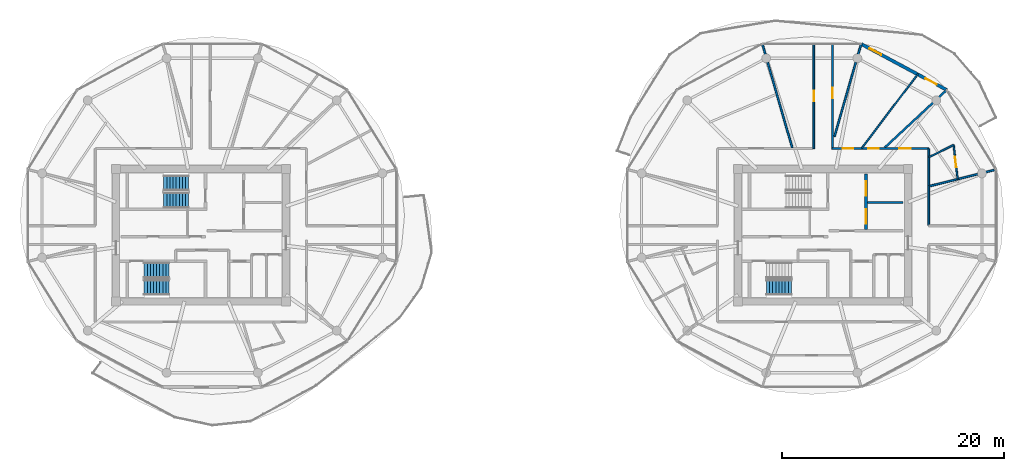
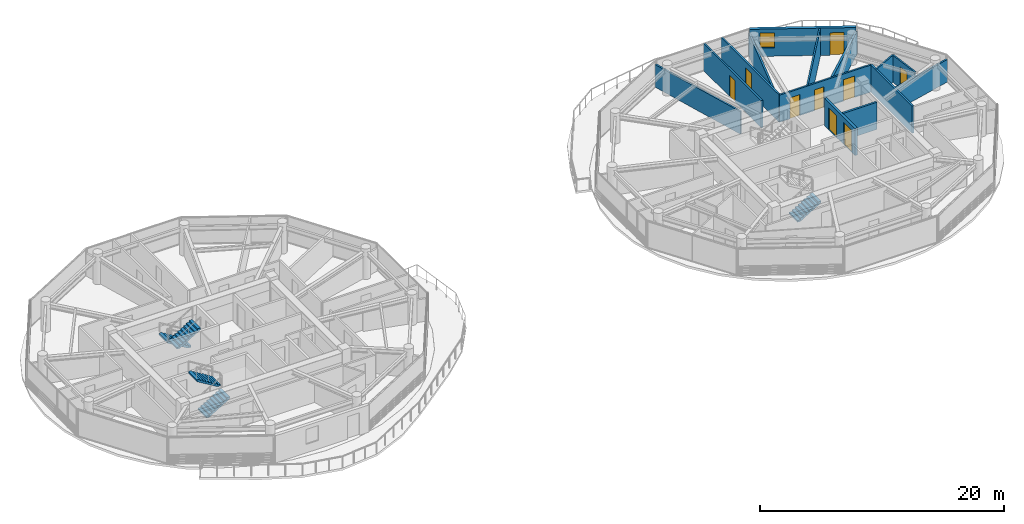
# One storey, part 16 of 22: 14 walls, 9 doors, 5 stair flights, 1 window, 10 openings, 3 elements without a shape of their own.
"""IFC4 building model written with IfcOpenShell, lengths in metres."""

from ifc_helpers import new_model, si_unit, direction, frame, frame_2d, origin, place, context, subcontext, project, spatial, polyline, rectangle, outline, extrude, source, transform, mapped, material, layer, layer_set, type_object, type_shapes, element, fill, aggregate, save


model = new_model("IFC4")

# Units and contexts
model_context = context("Model", 3, precision=1e-05, world=origin(), true_north=direction((0.0, 1.0)))
body_context = subcontext(model_context, "Body", "Model", "MODEL_VIEW")
ifc_project = project(units=[si_unit("LENGTHUNIT", "METRE"), si_unit("AREAUNIT", "SQUARE_METRE"), si_unit("VOLUMEUNIT", "CUBIC_METRE"), si_unit("PLANEANGLEUNIT", "RADIAN"), si_unit("MASSUNIT", "GRAM", prefix="KILO")], contexts=[model_context])

# Site, building, storey
site_placement = place(None, origin())
site = spatial("IfcSite", under=ifc_project, at=site_placement, CompositionType="ELEMENT")
building_placement = place(site_placement, origin())
building = spatial("IfcBuilding", under=site, at=building_placement, Name="Norrkilde Senior Care Towers", CompositionType="ELEMENT")
storey_placement = place(building_placement, frame((0.0, 0.0, 183.10009765625)))
storey = spatial("IfcBuildingStorey", under=building, at=storey_placement, Name="L57", CompositionType="ELEMENT", Elevation=183.10009765625)

# Wall, openings, door, window
ifc_material_1 = material(Name="Precast concrete C45/55", Category="concrete")
ifc_layer_1 = layer(ifc_material_1, 0.2900390625)
ifc_layer_set_1 = layer_set([ifc_layer_1], Name="Precast concrete C45/55")
wall_type_1 = type_object("IfcWallType", Name="Winter Garden Facade Wall 290", PredefinedType="SOLIDWALL", material=ifc_layer_set_1)
shared_shape_1 = source(origin(), body_context, "Body", "SweptSolid", [
    extrude(rectangle(XDim=8.74169921875, YDim=0.2900390625, at=frame_2d((4.370849609375, 0.0))), origin(), (0.0, 0.0, 1.0), 2.72998046875),
])
type_shapes(wall_type_1, [shared_shape_1])
wall_1_placement = place(storey_placement, frame((31.421630859375, 17.2109375, 0.0), z_axis=(0.0, 0.0, 1.0), x_axis=(0.880992489116, -0.473130250693, 0.0)))
wall_1 = element("IfcWall", 1, at=wall_1_placement, inside=storey, type_object=wall_type_1, Name="L57 Drum E Balcony Access Wall 01", PredefinedType="SOLIDWALL", context=body_context, shape_type="MappedRepresentation", body=[
    mapped(shared_shape_1, transform((0.0, 0.0, 0.0), x_axis=(1.0, 0.0, 0.0), y_axis=(0.0, 1.0, 0.0), z_axis=(0.0, 0.0, 1.0), scale=1.0)),
])
opening_1_placement = place(wall_1_placement, frame((6.580078125, 0.0, 0.0)))
opening_1 = element("IfcOpeningElement", 2, at=opening_1_placement, cuts=wall_1, Name="Opening D-09", PredefinedType="OPENING", context=body_context, shape_type="SweptSolid", body=[
    extrude(rectangle(XDim=1.14990234375, YDim=2.25, at=frame_2d((0.574951171875, 1.125))), frame((0.0, 0.155029296875, 0.0), z_axis=(0.0, -1.0, 0.0), x_axis=(1.0, 0.0, 0.0)), (0.0, 0.0, 1.0), 0.31005859375),
])
opening_2_placement = place(wall_1_placement, frame((0.85009765625, 0.0, 0.85009765625)))
opening_2 = element("IfcOpeningElement", 3, at=opening_2_placement, cuts=wall_1, Name="Opening WN-07", PredefinedType="OPENING", context=body_context, shape_type="SweptSolid", body=[
    extrude(rectangle(XDim=1.199951171875, YDim=1.5, at=frame_2d((0.60009765625, 0.75))), frame((0.0, 0.155029296875, 0.0), z_axis=(0.0, -1.0, 0.0), x_axis=(1.0, 0.0, 0.0)), (0.0, 0.0, 1.0), 0.31005859375),
])
ifc_material_2 = material(Name="Anodised Aluminium", Category="aluminium")
door_type_1 = type_object("IfcDoorType", Name="Terrace and Balcony Glazed Door 1150x2250", OperationType="NOTDEFINED", PredefinedType="DOOR", material=ifc_material_2)
shared_shape_2 = source(origin(), body_context, "Body", "SweptSolid", [
    extrude(rectangle(XDim=1.14990234375, YDim=2.25, at=frame_2d((0.574951171875, 1.125))), frame((0.0, 0.02490234375, 0.0), z_axis=(0.0, -1.0, 0.0), x_axis=(1.0, 0.0, 0.0)), (0.0, 0.0, 1.0), 0.050048828125),
])
type_shapes(door_type_1, [shared_shape_2])
door_1_placement = place(opening_1_placement, origin())
door_1 = element("IfcDoor", 4, at=door_1_placement, inside=storey, type_object=door_type_1, Name="L57 Drum E Outdoor Terrace Door 01", OperationType="SINGLE_SWING_RIGHT", OverallHeight=2.25, OverallWidth=1.14990234375, PredefinedType="DOOR", context=body_context, shape_type="MappedRepresentation", body=[
    mapped(shared_shape_2, transform((0.0, 0.0, 0.0), x_axis=(1.0, 0.0, 0.0), y_axis=(0.0, 1.0, 0.0), z_axis=(0.0, 0.0, 1.0), scale=1.0)),
])
fill(opening_1, door_1)
ifc_material_3 = material(Name="Triple Low-E Insulated Glazing", Category="glass")
window_type = type_object("IfcWindowType", Name="Stairwell Smoke Vent Window 1200x1500", PartitioningType="SINGLE_PANEL", PredefinedType="WINDOW", material=ifc_material_3)
shared_shape_3 = source(origin(), body_context, "Body", "SweptSolid", [
    extrude(rectangle(XDim=1.199951171875, YDim=1.5, at=frame_2d((0.60009765625, 0.75))), frame((0.0, 0.030029296875, 0.0), z_axis=(0.0, -1.0, 0.0), x_axis=(1.0, 0.0, 0.0)), (0.0, 0.0, 1.0), 0.06005859375),
])
type_shapes(window_type, [shared_shape_3])
window_placement = place(opening_2_placement, origin())
window = element("IfcWindow", 5, at=window_placement, inside=storey, type_object=window_type, Name="L57 Drum E Winter Garden Window 01", OverallHeight=1.5, OverallWidth=1.199951171875, PartitioningType="SINGLE_PANEL", PredefinedType="WINDOW", context=body_context, shape_type="MappedRepresentation", body=[
    mapped(shared_shape_3, transform((0.0, 0.0, 0.0), x_axis=(1.0, 0.0, 0.0), y_axis=(0.0, 1.0, 0.0), z_axis=(0.0, 0.0, 1.0), scale=1.0)),
])
fill(opening_2, window)

# Wall, openings, doors
ifc_material_4 = material(Name="Concrete C45/55", Category="concrete")
ifc_layer_2 = layer(ifc_material_4, 0.239990234375)
ifc_layer_set_2 = layer_set([ifc_layer_2], Name="Concrete C45/55")
wall_type_2 = type_object("IfcWallType", Name="Lift and Plant Rated Enclosure Partition 240", PredefinedType="PARTITIONING", material=ifc_layer_set_2)
shared_shape_4 = source(origin(), body_context, "Body", "SweptSolid", [
    extrude(rectangle(XDim=5.0, YDim=0.239990234375, at=frame_2d((2.5, 0.0))), origin(), (0.0, 0.0, 1.0), 2.71484375),
])
type_shapes(wall_type_2, [shared_shape_4])
wall_2_placement = place(storey_placement, frame((31.860107421875, 0.5, 0.0), z_axis=(0.0, 0.0, 1.0), x_axis=(0.0, 1.0, 0.0)))
wall_2 = element("IfcWall", 6, at=wall_2_placement, inside=storey, type_object=wall_type_2, Name="WL-INT-L57-E-FFLE", PredefinedType="PARTITIONING", context=body_context, shape_type="MappedRepresentation", body=[
    mapped(shared_shape_4, transform((0.0, 0.0, 0.0), x_axis=(1.0, 0.0, 0.0), y_axis=(0.0, 1.0, 0.0), z_axis=(0.0, 0.0, 1.0), scale=1.0)),
])
opening_3_placement = place(wall_2_placement, frame((3.050048828125, 0.0, 0.0)))
opening_3 = element("IfcOpeningElement", 7, at=opening_3_placement, cuts=wall_2, Name="Opening LD-02", PredefinedType="OPENING", context=body_context, shape_type="SweptSolid", body=[
    extrude(rectangle(XDim=1.300048828125, YDim=2.199951171875, at=frame_2d((0.64990234375, 1.10009765625))), frame((0.0, 0.1298828125, 0.0), z_axis=(0.0, -1.0, 0.0), x_axis=(1.0, 0.0, 0.0)), (0.0, 0.0, 1.0), 0.260009765625),
])
opening_4_placement = place(wall_2_placement, frame((0.550048828125, 0.0, 0.0)))
opening_4 = element("IfcOpeningElement", 8, at=opening_4_placement, cuts=wall_2, Name="Opening LD-02", PredefinedType="OPENING", context=body_context, shape_type="SweptSolid", body=[
    extrude(rectangle(XDim=1.300048828125, YDim=2.199951171875, at=frame_2d((0.64990234375, 1.10009765625))), frame((0.0, 0.1298828125, 0.0), z_axis=(0.0, -1.0, 0.0), x_axis=(1.0, 0.0, 0.0)), (0.0, 0.0, 1.0), 0.260009765625),
])
ifc_material_5 = material(Name="Stainless Steel", Category="steel")
door_type_2 = type_object("IfcDoorType", Name="Stretcher and FFL Landing Sliding Door 1300x2200", OperationType="NOTDEFINED", PredefinedType="DOOR", material=ifc_material_5)
shared_shape_5 = source(origin(), body_context, "Body", "SweptSolid", [
    extrude(rectangle(XDim=1.300048828125, YDim=2.199951171875, at=frame_2d((0.64990234375, 1.10009765625))), frame((0.0, 0.02490234375, 0.0), z_axis=(0.0, -1.0, 0.0), x_axis=(1.0, 0.0, 0.0)), (0.0, 0.0, 1.0), 0.050048828125),
])
type_shapes(door_type_2, [shared_shape_5])
door_2_placement = place(opening_3_placement, origin())
door_2 = element("IfcDoor", 9, at=door_2_placement, inside=storey, type_object=door_type_2, Name="L57 Firefighting Lift E1 Landing Door", OperationType="SLIDING_TO_LEFT", OverallHeight=2.199951171875, OverallWidth=1.300048828125, PredefinedType="DOOR", context=body_context, shape_type="MappedRepresentation", body=[
    mapped(shared_shape_5, transform((0.0, 0.0, 0.0), x_axis=(1.0, 0.0, 0.0), y_axis=(0.0, 1.0, 0.0), z_axis=(0.0, 0.0, 1.0), scale=1.0)),
])
fill(opening_3, door_2)
door_3_placement = place(opening_4_placement, origin())
door_3 = element("IfcDoor", 10, at=door_3_placement, inside=storey, type_object=door_type_2, Name="L57 Stretcher Lift E1 Landing Door", OperationType="SLIDING_TO_RIGHT", OverallHeight=2.199951171875, OverallWidth=1.300048828125, PredefinedType="DOOR", context=body_context, shape_type="MappedRepresentation", body=[
    mapped(shared_shape_5, transform((0.0, 0.0, 0.0), x_axis=(1.0, 0.0, 0.0), y_axis=(0.0, 1.0, 0.0), z_axis=(0.0, 0.0, 1.0), scale=1.0)),
])
fill(opening_4, door_3)

# Wall
ifc_layer_3 = layer(ifc_material_4, 0.199951171875)
ifc_layer_set_3 = layer_set([ifc_layer_3], Name="Concrete C45/55")
wall_type_3 = type_object("IfcWallType", Name="Shaft Division and Plant Partition 200", PredefinedType="PARTITIONING", material=ifc_layer_set_3)
shared_shape_6 = source(origin(), body_context, "Body", "SweptSolid", [
    extrude(rectangle(XDim=3.199951171875, YDim=0.199951171875, at=frame_2d((1.60009765625, 0.0))), origin(), (0.0, 0.0, 1.0), 2.71484375),
])
type_shapes(wall_type_3, [shared_shape_6])
wall_3_placement = place(storey_placement, frame((32.0, 2.949951171875, 0.0), z_axis=(0.0, 0.0, 1.0), x_axis=(1.0, 0.0, 0.0)))
element("IfcWall", 11, at=wall_3_placement, inside=storey, type_object=wall_type_3, Name="WL-INT-L57-E-FFLDIV", PredefinedType="PARTITIONING", context=body_context, shape_type="MappedRepresentation", body=[
    mapped(shared_shape_6, transform((0.0, 0.0, 0.0), x_axis=(1.0, 0.0, 0.0), y_axis=(0.0, 1.0, 0.0), z_axis=(0.0, 0.0, 1.0), scale=1.0)),
])

# Wall, openings, doors
ifc_material_6 = material(Name="Gypsum Acoustic Board")
ifc_layer_4 = layer(ifc_material_6, 0.1650390625)
ifc_layer_set_4 = layer_set([ifc_layer_4], Name="Gypsum Acoustic Board")
wall_type_4 = type_object("IfcWallType", Name="Corridor Rated Partition 165", PredefinedType="PARTITIONING", material=ifc_layer_set_4)
shared_shape_7 = source(origin(), body_context, "Body", "SweptSolid", [
    extrude(rectangle(XDim=8.719482421875, YDim=0.1650390625, at=frame_2d((4.35986328125, 0.0))), origin(), (0.0, 0.0, 1.0), 2.71484375),
])
wall_4_placement = place(storey_placement, frame((28.780517578125, 7.800048828125, 0.0), z_axis=(0.0, 0.0, 1.0), x_axis=(1.0, 0.0, 0.0)))
wall_4 = element("IfcWall", 12, at=wall_4_placement, inside=storey, type_object=wall_type_4, Name="WL-INT-L57-E-CRW-N-1", PredefinedType="PARTITIONING", context=body_context, shape_type="MappedRepresentation", body=[
    mapped(shared_shape_7, transform((0.0, 0.0, 0.0), x_axis=(1.0, 0.0, 0.0), y_axis=(0.0, 1.0, 0.0), z_axis=(0.0, 0.0, 1.0), scale=1.0)),
])
opening_5_placement = place(wall_4_placement, frame((6.054443359375, 0.0, 0.0)))
opening_5 = element("IfcOpeningElement", 13, at=opening_5_placement, cuts=wall_4, Name="Opening D-06", PredefinedType="OPENING", context=body_context, shape_type="SweptSolid", body=[
    extrude(rectangle(XDim=1.050048828125, YDim=2.14990234375, at=frame_2d((0.52490234375, 1.074951171875))), frame((0.0, 0.092529296875, 0.0), z_axis=(0.0, -1.0, 0.0), x_axis=(1.0, 0.0, 0.0)), (0.0, 0.0, 1.0), 0.18505859375),
])
opening_6_placement = place(wall_4_placement, frame((3.286865234375, 0.0, 0.0)))
opening_6 = element("IfcOpeningElement", 14, at=opening_6_placement, cuts=wall_4, Name="Opening D-08", PredefinedType="OPENING", context=body_context, shape_type="SweptSolid", body=[
    extrude(rectangle(XDim=0.919921875, YDim=2.10009765625, at=frame_2d((0.4599609375, 1.050048828125))), frame((0.0, 0.092529296875, 0.0), z_axis=(0.0, -1.0, 0.0), x_axis=(1.0, 0.0, 0.0)), (0.0, 0.0, 1.0), 0.18505859375),
])
opening_7_placement = place(wall_4_placement, frame((1.0, 0.0, 0.0)))
opening_7 = element("IfcOpeningElement", 15, at=opening_7_placement, cuts=wall_4, Name="Opening D-08", PredefinedType="OPENING", context=body_context, shape_type="SweptSolid", body=[
    extrude(rectangle(XDim=0.919921875, YDim=2.10009765625, at=frame_2d((0.4599609375, 1.050048828125))), frame((0.0, 0.092529296875, 0.0), z_axis=(0.0, -1.0, 0.0), x_axis=(1.0, 0.0, 0.0)), (0.0, 0.0, 1.0), 0.18505859375),
])
ifc_material_7 = material(Name="Nordic Ash Timber", Category="wood")
door_type_3 = type_object("IfcDoorType", Name="Accessible Wet Room Door 920x2100", OperationType="NOTDEFINED", PredefinedType="DOOR", material=ifc_material_7)
shared_shape_8 = source(origin(), body_context, "Body", "SweptSolid", [
    extrude(rectangle(XDim=0.919921875, YDim=2.10009765625, at=frame_2d((0.4599609375, 1.050048828125))), frame((0.0, 0.02490234375, 0.0), z_axis=(0.0, -1.0, 0.0), x_axis=(1.0, 0.0, 0.0)), (0.0, 0.0, 1.0), 0.050048828125),
])
type_shapes(door_type_3, [shared_shape_8])
door_4_placement = place(opening_6_placement, frame((0.919921875, 0.0, 0.0), z_axis=(0.0, 0.0, 1.0), x_axis=(-1.0, 0.0, 0.0)))
door_4 = element("IfcDoor", 16, at=door_4_placement, inside=storey, type_object=door_type_3, Name="L57 Accessible Restroom Door", OperationType="SINGLE_SWING_RIGHT", OverallHeight=2.10009765625, OverallWidth=0.919921875, PredefinedType="DOOR", context=body_context, shape_type="MappedRepresentation", body=[
    mapped(shared_shape_8, transform((0.0, 0.0, 0.0), x_axis=(1.0, 0.0, 0.0), y_axis=(0.0, 1.0, 0.0), z_axis=(0.0, 0.0, 1.0), scale=1.0)),
])
fill(opening_6, door_4)
door_5_placement = place(opening_7_placement, frame((0.919921875, 0.0, 0.0), z_axis=(0.0, 0.0, 1.0), x_axis=(-1.0, 0.0, 0.0)))
door_5 = element("IfcDoor", 17, at=door_5_placement, inside=storey, type_object=door_type_3, Name="L57 Public Restroom Door", OperationType="SINGLE_SWING_LEFT", OverallHeight=2.10009765625, OverallWidth=0.919921875, PredefinedType="DOOR", context=body_context, shape_type="MappedRepresentation", body=[
    mapped(shared_shape_8, transform((0.0, 0.0, 0.0), x_axis=(1.0, 0.0, 0.0), y_axis=(0.0, 1.0, 0.0), z_axis=(0.0, 0.0, 1.0), scale=1.0)),
])
fill(opening_7, door_5)
door_type_4 = type_object("IfcDoorType", Name="Apartment Entrance Fire Door 1050x2150", OperationType="NOTDEFINED", PredefinedType="DOOR", material=ifc_material_7)
shared_shape_9 = source(origin(), body_context, "Body", "SweptSolid", [
    extrude(rectangle(XDim=1.050048828125, YDim=2.14990234375, at=frame_2d((0.52490234375, 1.074951171875))), frame((0.0, 0.02490234375, 0.0), z_axis=(0.0, -1.0, 0.0), x_axis=(1.0, 0.0, 0.0)), (0.0, 0.0, 1.0), 0.050048828125),
])
type_shapes(door_type_4, [shared_shape_9])
door_6_placement = place(opening_5_placement, frame((1.050048828125, 0.0, 0.0), z_axis=(0.0, 0.0, 1.0), x_axis=(-1.0, 0.0, 0.0)))
door_6 = element("IfcDoor", 18, at=door_6_placement, inside=storey, type_object=door_type_4, Name="L57 Studio 57A Entrance Door", OperationType="SINGLE_SWING_LEFT", OverallHeight=2.14990234375, OverallWidth=1.050048828125, PredefinedType="DOOR", context=body_context, shape_type="MappedRepresentation", body=[
    mapped(shared_shape_9, transform((0.0, 0.0, 0.0), x_axis=(1.0, 0.0, 0.0), y_axis=(0.0, 1.0, 0.0), z_axis=(0.0, 0.0, 1.0), scale=1.0)),
])
fill(opening_5, door_6)

# Walls
shared_shape_10 = source(origin(), body_context, "Body", "SweptSolid", [
    extrude(rectangle(XDim=6.880126953125, YDim=0.1650390625, at=frame_2d((3.43994140625, 0.0))), origin(), (0.0, 0.0, 1.0), 2.71484375),
])
wall_5_placement = place(storey_placement, frame((37.5, 7.800048828125, 0.0), z_axis=(0.0, 0.0, 1.0), x_axis=(0.0, -1.0, 0.0)))
element("IfcWall", 19, at=wall_5_placement, inside=storey, type_object=wall_type_4, Name="WL-INT-L57-E-CRW-E-0", PredefinedType="PARTITIONING", context=body_context, shape_type="MappedRepresentation", body=[
    mapped(shared_shape_10, transform((0.0, 0.0, 0.0), x_axis=(1.0, 0.0, 0.0), y_axis=(0.0, 1.0, 0.0), z_axis=(0.0, 0.0, 1.0), scale=1.0)),
])
shared_shape_11 = source(origin(), body_context, "Body", "SweptSolid", [
    extrude(rectangle(XDim=9.73046875, YDim=0.1650390625, at=frame_2d((4.865234375, 0.0))), origin(), (0.0, 0.0, 1.0), 2.264892578125),
])
wall_6_placement = place(storey_placement, frame((25.216552734375, 7.8798828125, 0.0), z_axis=(0.0, 0.0, 1.0), x_axis=(-0.27679492614, 0.960929013436, 0.0)))
element("IfcWall", 20, at=wall_6_placement, inside=storey, type_object=wall_type_4, Name="WL-INT-L57-E-DEM-03-0", PredefinedType="PARTITIONING", context=body_context, shape_type="MappedRepresentation", body=[
    mapped(shared_shape_11, transform((0.0, 0.0, 0.0), x_axis=(1.0, 0.0, 0.0), y_axis=(0.0, 1.0, 0.0), z_axis=(0.0, 0.0, 1.0), scale=1.0)),
])
shared_shape_12 = source(origin(), body_context, "Body", "SweptSolid", [
    extrude(rectangle(XDim=8.695068359375, YDim=0.1650390625, at=frame_2d((4.34765625, 0.0))), origin(), (0.0, 0.0, 1.0), 2.264892578125),
])
wall_7_placement = place(storey_placement, frame((29.02001953125, 8.875, 0.0), z_axis=(0.0, 0.0, 1.0), x_axis=(0.276797231892, 0.960928349263, 0.0)))
element("IfcWall", 21, at=wall_7_placement, inside=storey, type_object=wall_type_4, Name="WL-INT-L57-E-DEM-02-0", PredefinedType="PARTITIONING", context=body_context, shape_type="MappedRepresentation", body=[
    mapped(shared_shape_12, transform((0.0, 0.0, 0.0), x_axis=(1.0, 0.0, 0.0), y_axis=(0.0, 1.0, 0.0), z_axis=(0.0, 0.0, 1.0), scale=1.0)),
])
shared_shape_13 = source(origin(), body_context, "Body", "SweptSolid", [
    extrude(rectangle(XDim=6.192626953125, YDim=0.1650390625, at=frame_2d((3.09619140625, 0.0))), origin(), (0.0, 0.0, 1.0), 2.264892578125),
])
wall_8_placement = place(storey_placement, frame((37.580078125, 4.418701171875, 0.0), z_axis=(0.0, 0.0, 1.0), x_axis=(0.970309243466, 0.241867674657, 0.0)))
element("IfcWall", 22, at=wall_8_placement, inside=storey, type_object=wall_type_4, Name="WL-INT-L57-E-DEM-00-0", PredefinedType="PARTITIONING", context=body_context, shape_type="MappedRepresentation", body=[
    mapped(shared_shape_13, transform((0.0, 0.0, 0.0), x_axis=(1.0, 0.0, 0.0), y_axis=(0.0, 1.0, 0.0), z_axis=(0.0, 0.0, 1.0), scale=1.0)),
])

# Wall, opening, door
shared_shape_14 = source(origin(), body_context, "Body", "SweptSolid", [
    extrude(rectangle(XDim=9.480224609375, YDim=0.1650390625, at=frame_2d((4.740234375, 0.0))), origin(), (0.0, 0.0, 1.0), 2.71484375),
])
type_shapes(wall_type_4, [shared_shape_7, shared_shape_10, shared_shape_11, shared_shape_12, shared_shape_13, shared_shape_14])
wall_9_placement = place(storey_placement, frame((27.159912109375, 7.800048828125, 0.0), z_axis=(0.0, 0.0, 1.0), x_axis=(0.0, 1.0, 0.0)))
wall_9 = element("IfcWall", 23, at=wall_9_placement, inside=storey, type_object=wall_type_4, Name="WL-INT-L57-E-SPK-N1-0", PredefinedType="PARTITIONING", context=body_context, shape_type="MappedRepresentation", body=[
    mapped(shared_shape_14, transform((0.0, 0.0, 0.0), x_axis=(1.0, 0.0, 0.0), y_axis=(0.0, 1.0, 0.0), z_axis=(0.0, 0.0, 1.0), scale=1.0)),
])
opening_8_placement = place(wall_9_placement, frame((4.26513671875, 0.0, 0.0)))
opening_8 = element("IfcOpeningElement", 24, at=opening_8_placement, cuts=wall_9, Name="Opening D-07", PredefinedType="OPENING", context=body_context, shape_type="SweptSolid", body=[
    extrude(rectangle(XDim=0.949951171875, YDim=2.10009765625, at=frame_2d((0.47509765625, 1.050048828125))), frame((0.0, 0.092529296875, 0.0), z_axis=(0.0, -1.0, 0.0), x_axis=(1.0, 0.0, 0.0)), (0.0, 0.0, 1.0), 0.18505859375),
])
door_type_5 = type_object("IfcDoorType", Name="Internal Suite Bedroom Door 950x2100", OperationType="NOTDEFINED", PredefinedType="DOOR", material=ifc_material_7)
shared_shape_15 = source(origin(), body_context, "Body", "SweptSolid", [
    extrude(rectangle(XDim=0.949951171875, YDim=2.10009765625, at=frame_2d((0.47509765625, 1.050048828125))), frame((0.0, 0.02490234375, 0.0), z_axis=(0.0, -1.0, 0.0), x_axis=(1.0, 0.0, 0.0)), (0.0, 0.0, 1.0), 0.050048828125),
])
type_shapes(door_type_5, [shared_shape_15])
door_7_placement = place(opening_8_placement, frame((0.949951171875, 0.0, 0.0), z_axis=(0.0, 0.0, 1.0), x_axis=(-1.0, 0.0, 0.0)))
door_7 = element("IfcDoor", 25, at=door_7_placement, inside=storey, type_object=door_type_5, Name="L57 Sun Reading Lounge 3 Door", OperationType="SINGLE_SWING_RIGHT", OverallHeight=2.10009765625, OverallWidth=0.949951171875, PredefinedType="DOOR", context=body_context, shape_type="MappedRepresentation", body=[
    mapped(shared_shape_15, transform((0.0, 0.0, 0.0), x_axis=(1.0, 0.0, 0.0), y_axis=(0.0, 1.0, 0.0), z_axis=(0.0, 0.0, 1.0), scale=1.0)),
])
fill(opening_8, door_7)

wall_10_placement = place(storey_placement, frame((28.840087890625, 17.2802734375, 0.0), z_axis=(0.0, 0.0, 1.0), x_axis=(0.0, -1.0, 0.0)))
wall_10 = element("IfcWall", 26, at=wall_10_placement, inside=storey, type_object=wall_type_4, Name="WL-INT-L57-E-SPK-N2-0", PredefinedType="PARTITIONING", context=body_context, shape_type="MappedRepresentation", body=[
    mapped(shared_shape_14, transform((0.0, 0.0, 0.0), x_axis=(1.0, 0.0, 0.0), y_axis=(0.0, 1.0, 0.0), z_axis=(0.0, 0.0, 1.0), scale=1.0)),
])
opening_9_placement = place(wall_10_placement, frame((4.009765625, 0.0, 0.0)))
opening_9 = element("IfcOpeningElement", 27, at=opening_9_placement, cuts=wall_10, Name="Opening D-07", PredefinedType="OPENING", context=body_context, shape_type="SweptSolid", body=[
    extrude(rectangle(XDim=0.949951171875, YDim=2.10009765625, at=frame_2d((0.47509765625, 1.050048828125))), frame((0.0, 0.092529296875, 0.0), z_axis=(0.0, -1.0, 0.0), x_axis=(1.0, 0.0, 0.0)), (0.0, 0.0, 1.0), 0.18505859375),
])
door_8_placement = place(opening_9_placement, frame((0.949951171875, 0.0, 0.0), z_axis=(0.0, 0.0, 1.0), x_axis=(-1.0, 0.0, 0.0)))
door_8 = element("IfcDoor", 28, at=door_8_placement, inside=storey, type_object=door_type_5, Name="L57 Sun Reading Lounge 4 Door", OperationType="SINGLE_SWING_LEFT", OverallHeight=2.10009765625, OverallWidth=0.949951171875, PredefinedType="DOOR", context=body_context, shape_type="MappedRepresentation", body=[
    mapped(shared_shape_15, transform((0.0, 0.0, 0.0), x_axis=(1.0, 0.0, 0.0), y_axis=(0.0, 1.0, 0.0), z_axis=(0.0, 0.0, 1.0), scale=1.0)),
])
fill(opening_9, door_8)

# Walls
ifc_layer_5 = layer(ifc_material_6, 0.139892578125)
ifc_layer_set_5 = layer_set([ifc_layer_5], Name="Gypsum Acoustic Board")
wall_type_5 = type_object("IfcWallType", Name="En-suite Wet Room Wall 140", PredefinedType="PARTITIONING", material=ifc_layer_set_5)
shared_shape_16 = source(origin(), body_context, "Body", "SweptSolid", [
    extrude(rectangle(XDim=8.359375, YDim=0.139892578125, at=frame_2d((4.1796875, 0.0))), origin(), (0.0, 0.0, 1.0), 2.71484375),
])
wall_11_placement = place(storey_placement, frame((31.47265625, 7.830078125, 0.0), z_axis=(0.0, 0.0, 1.0), x_axis=(0.603265985309, 0.797540062297, 0.0)))
element("IfcWall", 29, at=wall_11_placement, inside=storey, type_object=wall_type_5, Name="WL-INT-L57-E-MID-01", PredefinedType="PARTITIONING", context=body_context, shape_type="MappedRepresentation", body=[
    mapped(shared_shape_16, transform((0.0, 0.0, 0.0), x_axis=(1.0, 0.0, 0.0), y_axis=(0.0, 1.0, 0.0), z_axis=(0.0, 0.0, 1.0), scale=1.0)),
])
ifc_layer_6 = layer(ifc_material_6, 0.18994140625)
ifc_layer_set_6 = layer_set([ifc_layer_6], Name="Gypsum Acoustic Board")
wall_type_6 = type_object("IfcWallType", Name="Unit Demising Acoustic Wall 190", PredefinedType="PARTITIONING", material=ifc_layer_set_6)
shared_shape_17 = source(origin(), body_context, "Body", "SweptSolid", [
    extrude(rectangle(XDim=7.64794921875, YDim=0.18994140625, at=frame_2d((3.823974609375, 0.0))), origin(), (0.0, 0.0, 1.0), 2.264892578125),
])
type_shapes(wall_type_6, [shared_shape_17])
wall_12_placement = place(storey_placement, frame((33.53759765625, 7.8798828125, 0.0), z_axis=(0.0, 0.0, 1.0), x_axis=(0.732167856666, 0.681124239522, 0.0)))
element("IfcWall", 30, at=wall_12_placement, inside=storey, type_object=wall_type_6, Name="WL-INT-L57-E-DEM-01-0", PredefinedType="PARTITIONING", context=body_context, shape_type="MappedRepresentation", body=[
    mapped(shared_shape_17, transform((0.0, 0.0, 0.0), x_axis=(1.0, 0.0, 0.0), y_axis=(0.0, 1.0, 0.0), z_axis=(0.0, 0.0, 1.0), scale=1.0)),
])
shared_shape_18 = source(origin(), body_context, "Body", "SweptSolid", [
    extrude(rectangle(XDim=2.470703125, YDim=0.139892578125, at=frame_2d((1.2353515625, 0.0))), origin(), (0.0, 0.0, 1.0), 2.71484375),
])
wall_13_placement = place(storey_placement, frame((37.530029296875, 7.026123046875, 0.0), z_axis=(0.0, 0.0, 1.0), x_axis=(0.895295102372, 0.445473545419, 0.0)))
element("IfcWall", 31, at=wall_13_placement, inside=storey, type_object=wall_type_5, Name="WL-INT-L57-E-ES-00", PredefinedType="PARTITIONING", context=body_context, shape_type="MappedRepresentation", body=[
    mapped(shared_shape_18, transform((0.0, 0.0, 0.0), x_axis=(1.0, 0.0, 0.0), y_axis=(0.0, 1.0, 0.0), z_axis=(0.0, 0.0, 1.0), scale=1.0)),
])

# Wall, opening, door
shared_shape_19 = source(origin(), body_context, "Body", "SweptSolid", [
    extrude(rectangle(XDim=3.10107421875, YDim=0.139892578125, at=frame_2d((1.550537109375, 0.0))), origin(), (0.0, 0.0, 1.0), 2.71484375),
])
type_shapes(wall_type_5, [shared_shape_16, shared_shape_18, shared_shape_19])
wall_14_placement = place(storey_placement, frame((39.741943359375, 8.126708984375, 0.0), z_axis=(0.0, 0.0, 1.0), x_axis=(0.116754457614, -0.993160811061, 0.0)))
wall_14 = element("IfcWall", 32, at=wall_14_placement, inside=storey, type_object=wall_type_5, Name="WL-INT-L57-E-EF-00", PredefinedType="PARTITIONING", context=body_context, shape_type="MappedRepresentation", body=[
    mapped(shared_shape_19, transform((0.0, 0.0, 0.0), x_axis=(1.0, 0.0, 0.0), y_axis=(0.0, 1.0, 0.0), z_axis=(0.0, 0.0, 1.0), scale=1.0)),
])
opening_10_placement = place(wall_14_placement, frame((1.09033203125, 0.0, 0.0)))
opening_10 = element("IfcOpeningElement", 33, at=opening_10_placement, cuts=wall_14, Name="Opening D-08", PredefinedType="OPENING", context=body_context, shape_type="SweptSolid", body=[
    extrude(rectangle(XDim=0.919921875, YDim=2.10009765625, at=frame_2d((0.4599609375, 1.050048828125))), frame((0.0, 0.079833984375, 0.0), z_axis=(0.0, -1.0, 0.0), x_axis=(1.0, 0.0, 0.0)), (0.0, 0.0, 1.0), 0.159912109375),
])
door_9_placement = place(opening_10_placement, origin())
door_9 = element("IfcDoor", 34, at=door_9_placement, inside=storey, type_object=door_type_3, Name="L57 Studio 57A Bathroom Door", OperationType="SINGLE_SWING_RIGHT", OverallHeight=2.10009765625, OverallWidth=0.919921875, PredefinedType="DOOR", context=body_context, shape_type="MappedRepresentation", body=[
    mapped(shared_shape_8, transform((0.0, 0.0, 0.0), x_axis=(1.0, 0.0, 0.0), y_axis=(0.0, 1.0, 0.0), z_axis=(0.0, 0.0, 1.0), scale=1.0)),
])
fill(opening_10, door_9)

# Stair, stair flights
stair_type = type_object("IfcStairType", Name="Core Protected Dogleg Stair Typical 3050", PredefinedType="HALF_TURN_STAIR", material=ifc_material_4)
stair_1_placement = place(storey_placement, origin())
stair_1 = element("IfcStair", 35, at=stair_1_placement, inside=storey, type_object=stair_type, Name="L57 Protected Core Stair W1", PredefinedType="HALF_TURN_STAIR")
stair_flight_type = type_object("IfcStairFlightType", Name="Core Protected Dogleg Stair Typical 3050 Flight", PredefinedType="STRAIGHT", material=ifc_material_4)
stair_flight_1_placement = place(storey_placement, frame((-29.10009765625, 4.699951171875, 0.0), z_axis=(0.0, 0.0, 1.0), x_axis=(-1.0, 0.0, 0.0)))
stair_flight_1 = element("IfcStairFlight", 36, at=stair_flight_1_placement, type_object=stair_flight_type, Name="ST-W1 flight 1", NumberOfRisers=9, NumberOfTreads=8, PredefinedType="STRAIGHT", RiserHeight=0.169444444, TreadLength=0.28, context=body_context, shape_type="SweptSolid", body=[
    extrude(outline(polyline([(0.0, 0.0), (0.0, 0.16943359375), (0.280029296875, 0.16943359375), (0.280029296875, 0.3388671875), (0.56005859375, 0.3388671875), (0.56005859375, 0.50830078125), (0.840087890625, 0.50830078125), (0.840087890625, 0.677734375), (1.1201171875, 0.677734375), (1.1201171875, 0.84716796875), (1.39990234375, 0.84716796875), (1.39990234375, 1.0166015625), (1.679931640625, 1.0166015625), (1.679931640625, 1.18603515625), (1.9599609375, 1.18603515625), (1.9599609375, 1.35546875), (2.239990234375, 1.35546875), (2.239990234375, 1.52490234375), (2.239990234375, 1.180419921875), (0.28955078125, 0.0), (0.0, 0.0)])), frame((0.0, 0.699951171875, 0.0), z_axis=(0.0, -1.0, 0.0), x_axis=(1.0, 0.0, 0.0)), (0.0, 0.0, 1.0), 1.39990234375),
])
stair_flight_2_placement = place(storey_placement, frame((-31.340087890625, 3.14990234375, 1.52490234375), z_axis=(0.0, 0.0, 1.0), x_axis=(1.0, 0.0, 0.0)))
stair_flight_2 = element("IfcStairFlight", 37, at=stair_flight_2_placement, type_object=stair_flight_type, Name="ST-W1 flight 2", NumberOfRisers=9, NumberOfTreads=8, PredefinedType="STRAIGHT", RiserHeight=0.169444444, TreadLength=0.28, context=body_context, shape_type="SweptSolid", body=[
    extrude(outline(polyline([(0.0, 0.0), (0.0, 0.16943359375), (0.280029296875, 0.16943359375), (0.280029296875, 0.3388671875), (0.56005859375, 0.3388671875), (0.56005859375, 0.50830078125), (0.840087890625, 0.50830078125), (0.840087890625, 0.677734375), (1.1201171875, 0.677734375), (1.1201171875, 0.84716796875), (1.39990234375, 0.84716796875), (1.39990234375, 1.0166015625), (1.679931640625, 1.0166015625), (1.679931640625, 1.18603515625), (1.9599609375, 1.18603515625), (1.9599609375, 1.35546875), (2.239990234375, 1.35546875), (2.239990234375, 1.52490234375), (2.239990234375, 1.180419921875), (0.28955078125, 0.0), (0.0, 0.0)])), frame((0.0, 0.699951171875, 0.0), z_axis=(0.0, -1.0, 0.0), x_axis=(1.0, 0.0, 0.0)), (0.0, 0.0, 1.0), 1.39990234375),
])
aggregate(stair_1, [stair_flight_1, stair_flight_2])

stair_2_placement = place(storey_placement, origin())
stair_2 = element("IfcStair", 38, at=stair_2_placement, inside=storey, type_object=stair_type, Name="L57 Protected Core Stair W2", PredefinedType="HALF_TURN_STAIR")
stair_flight_3_placement = place(storey_placement, frame((-33.10009765625, -4.699951171875, 0.0), z_axis=(0.0, 0.0, 1.0), x_axis=(1.0, 0.0, 0.0)))
stair_flight_3 = element("IfcStairFlight", 39, at=stair_flight_3_placement, type_object=stair_flight_type, Name="ST-W2 flight 1", NumberOfRisers=9, NumberOfTreads=8, PredefinedType="STRAIGHT", RiserHeight=0.169444444, TreadLength=0.28, context=body_context, shape_type="SweptSolid", body=[
    extrude(outline(polyline([(0.0, 0.0), (0.0, 0.16943359375), (0.280029296875, 0.16943359375), (0.280029296875, 0.3388671875), (0.56005859375, 0.3388671875), (0.56005859375, 0.50830078125), (0.840087890625, 0.50830078125), (0.840087890625, 0.677734375), (1.1201171875, 0.677734375), (1.1201171875, 0.84716796875), (1.39990234375, 0.84716796875), (1.39990234375, 1.0166015625), (1.679931640625, 1.0166015625), (1.679931640625, 1.18603515625), (1.9599609375, 1.18603515625), (1.9599609375, 1.35546875), (2.239990234375, 1.35546875), (2.239990234375, 1.52490234375), (2.239990234375, 1.180419921875), (0.28955078125, 0.0), (0.0, 0.0)])), frame((0.0, 0.699951171875, 0.0), z_axis=(0.0, -1.0, 0.0), x_axis=(1.0, 0.0, 0.0)), (0.0, 0.0, 1.0), 1.39990234375),
])
stair_flight_4_placement = place(storey_placement, frame((-30.860107421875, -3.14990234375, 1.52490234375), z_axis=(0.0, 0.0, 1.0), x_axis=(-1.0, 0.0, 0.0)))
stair_flight_4 = element("IfcStairFlight", 40, at=stair_flight_4_placement, type_object=stair_flight_type, Name="ST-W2 flight 2", NumberOfRisers=9, NumberOfTreads=8, PredefinedType="STRAIGHT", RiserHeight=0.169444444, TreadLength=0.28, context=body_context, shape_type="SweptSolid", body=[
    extrude(outline(polyline([(0.0, 0.0), (0.0, 0.16943359375), (0.280029296875, 0.16943359375), (0.280029296875, 0.3388671875), (0.56005859375, 0.3388671875), (0.56005859375, 0.50830078125), (0.840087890625, 0.50830078125), (0.840087890625, 0.677734375), (1.1201171875, 0.677734375), (1.1201171875, 0.84716796875), (1.39990234375, 0.84716796875), (1.39990234375, 1.0166015625), (1.679931640625, 1.0166015625), (1.679931640625, 1.18603515625), (1.9599609375, 1.18603515625), (1.9599609375, 1.35546875), (2.239990234375, 1.35546875), (2.239990234375, 1.52490234375), (2.239990234375, 1.180419921875), (0.28955078125, 0.0), (0.0, 0.0)])), frame((0.0, 0.699951171875, 0.0), z_axis=(0.0, -1.0, 0.0), x_axis=(1.0, 0.0, 0.0)), (0.0, 0.0, 1.0), 1.39990234375),
])
aggregate(stair_2, [stair_flight_3, stair_flight_4])

# Stair, stair flight
stair_3_placement = place(storey_placement, origin())
stair_3 = element("IfcStair", 41, at=stair_3_placement, inside=storey, type_object=stair_type, Name="L57 Protected Core Stair E2", PredefinedType="HALF_TURN_STAIR")
stair_flight_5_placement = place(storey_placement, frame((22.89990234375, -4.699951171875, 0.0), z_axis=(0.0, 0.0, 1.0), x_axis=(1.0, 0.0, 0.0)))
stair_flight_5 = element("IfcStairFlight", 42, at=stair_flight_5_placement, type_object=stair_flight_type, Name="ST-E2 flight 1", NumberOfRisers=9, NumberOfTreads=8, PredefinedType="STRAIGHT", RiserHeight=0.169444444, TreadLength=0.28, context=body_context, shape_type="SweptSolid", body=[
    extrude(outline(polyline([(0.0, 0.0), (0.0, 0.16943359375), (0.280029296875, 0.16943359375), (0.280029296875, 0.3388671875), (0.56005859375, 0.3388671875), (0.56005859375, 0.50830078125), (0.840087890625, 0.50830078125), (0.840087890625, 0.677734375), (1.1201171875, 0.677734375), (1.1201171875, 0.84716796875), (1.39990234375, 0.84716796875), (1.39990234375, 1.0166015625), (1.679931640625, 1.0166015625), (1.679931640625, 1.18603515625), (1.9599609375, 1.18603515625), (1.9599609375, 1.35546875), (2.239990234375, 1.35546875), (2.239990234375, 1.52490234375), (2.239990234375, 1.180419921875), (0.28955078125, 0.0), (0.0, 0.0)])), frame((0.0, 0.699951171875, 0.0), z_axis=(0.0, -1.0, 0.0), x_axis=(1.0, 0.0, 0.0)), (0.0, 0.0, 1.0), 1.39990234375),
])
aggregate(stair_3, [stair_flight_5])

save(model, "model.ifc")
